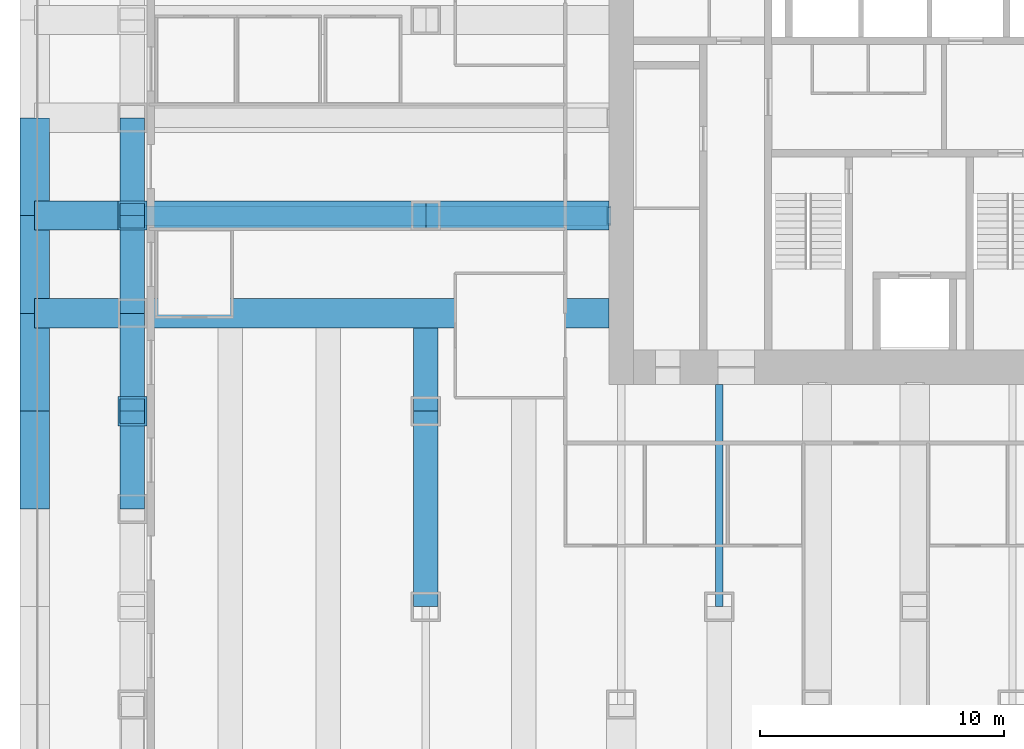
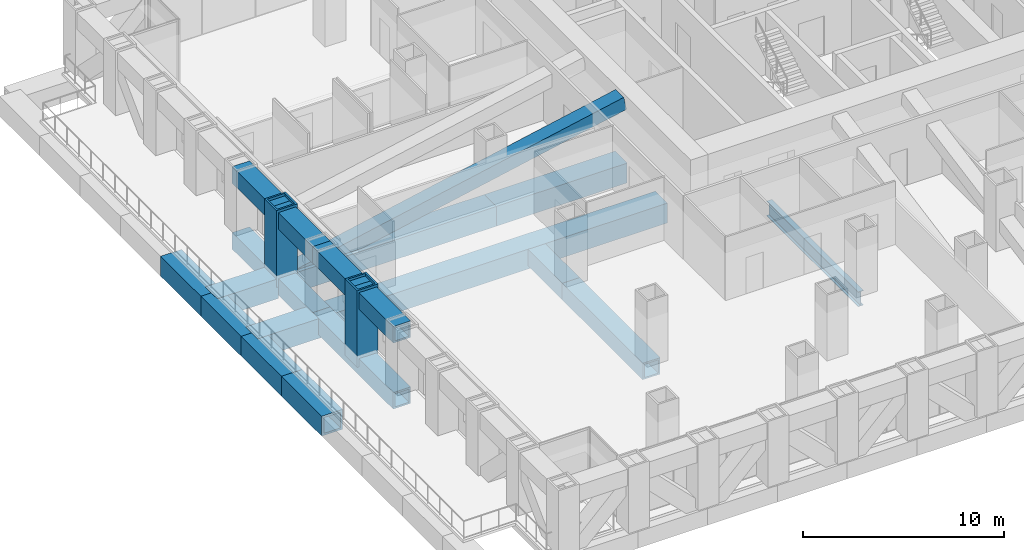
# One storey, part 4 of 18: 18 beams, 3 members.
"""IFC4 building model written with IfcOpenShell, lengths in metres."""

from ifc_helpers import new_model, si_unit, direction, frame, origin, origin_2d, place, context, subcontext, project, spatial, hollow_rectangle, i_section, extrude, material, material_profile, profile_set, type_object, element, save


model = new_model("IFC4")

# Units and contexts
model_context = context("Model", 3, precision=1e-05, world=origin(), true_north=direction((0.0, 1.0)))
body_context = subcontext(model_context, "Body", "Model", "MODEL_VIEW")
ifc_project = project(units=[si_unit("LENGTHUNIT", "METRE"), si_unit("AREAUNIT", "SQUARE_METRE"), si_unit("VOLUMEUNIT", "CUBIC_METRE"), si_unit("PLANEANGLEUNIT", "RADIAN"), si_unit("MASSUNIT", "GRAM", prefix="KILO")], contexts=[model_context])

# Site, building, storey
site_placement = place(None, origin())
site = spatial("IfcSite", under=ifc_project, at=site_placement, CompositionType="ELEMENT")
building_placement = place(site_placement, origin())
building = spatial("IfcBuilding", under=site, at=building_placement, Name="Rimbunsela Tower", CompositionType="ELEMENT")
storey_placement = place(building_placement, frame((0.0, 0.0, 11.0)))
storey = spatial("IfcBuildingStorey", under=building, at=storey_placement, Name="L02", CompositionType="ELEMENT", Elevation=11.0)

# Beams
ifc_material_1 = material(Name="Steel BJ 55 (fy 410 MPa)", Category="steel")
ifc_material_profile_1 = material_profile(ifc_material_1, hollow_rectangle(XDim=1.0, YDim=1.0, WallThickness=0.10009765625, at=origin_2d()), Name="BOX 1000x1000x100")
ifc_profile_set_1 = profile_set([ifc_material_profile_1], Name="Steel BJ 55 (fy 410 MPa)")
beam_type_1 = type_object("IfcBeamType", Name="Beam BOX 1000x1000x100", PredefinedType="BEAM", material=ifc_profile_set_1)
beam_1_placement = place(storey_placement, frame((10.0, 8.0, -0.64990234375), z_axis=(0.0, 1.0, 0.0), x_axis=(-1.0, 0.0, 0.0)))
element("IfcBeam", 1, at=beam_1_placement, inside=storey, type_object=beam_type_1, Name="Beam B3 L02", PredefinedType="BEAM", context=body_context, shape_type="SweptSolid", body=[
    extrude(hollow_rectangle(XDim=1.0, YDim=1.0, WallThickness=0.10009765625, at=origin_2d()), origin(), (0.0, 0.0, 1.0), 8.0),
])
beam_2_placement = place(storey_placement, frame((10.0, 16.0, -0.64990234375), z_axis=(0.0, 1.0, 0.0), x_axis=(-1.0, 0.0, 0.0)))
element("IfcBeam", 2, at=beam_2_placement, inside=storey, type_object=beam_type_1, Name="Beam B3 L02", PredefinedType="BEAM", context=body_context, shape_type="SweptSolid", body=[
    extrude(hollow_rectangle(XDim=1.0, YDim=1.0, WallThickness=0.10009765625, at=origin_2d()), origin(), (0.0, 0.0, 1.0), 3.39990234375),
])
ifc_material_2 = material(Name="Steel BJ 55 (fy 410 MPa)", Category="steel")
ifc_material_profile_2 = material_profile(ifc_material_2, hollow_rectangle(XDim=1.199951171875, YDim=1.199951171875, WallThickness=0.10009765625, at=origin_2d()), Name="BOX 1200x1200x100")
ifc_profile_set_2 = profile_set([ifc_material_profile_2], Name="Steel BJ 55 (fy 410 MPa)")
beam_type_2 = type_object("IfcBeamType", Name="Beam BOX 1200x1200x100", PredefinedType="BEAM", material=ifc_profile_set_2)
beam_3_placement = place(storey_placement, frame((-2.0, 20.0, -0.75), z_axis=(1.0, 0.0, 0.0), x_axis=(0.0, 1.0, 0.0)))
element("IfcBeam", 3, at=beam_3_placement, inside=storey, type_object=beam_type_2, Name="Beam B5 L02", PredefinedType="BEAM", context=body_context, shape_type="SweptSolid", body=[
    extrude(hollow_rectangle(XDim=1.199951171875, YDim=1.199951171875, WallThickness=0.10009765625, at=origin_2d()), origin(), (0.0, 0.0, 1.0), 19.5),
])
beam_4_placement = place(storey_placement, frame((-1.5, 24.0, -0.75), z_axis=(1.0, 0.0, 0.0), x_axis=(0.0, 1.0, 0.0)))
element("IfcBeam", 4, at=beam_4_placement, inside=storey, type_object=beam_type_2, Name="Beam B5 L02", PredefinedType="BEAM", context=body_context, shape_type="SweptSolid", body=[
    extrude(hollow_rectangle(XDim=1.199951171875, YDim=1.199951171875, WallThickness=0.10009765625, at=origin_2d()), origin(), (0.0, 0.0, 1.0), 11.5),
])
beam_5_placement = place(storey_placement, frame((10.0, 24.0, -0.75), z_axis=(1.0, 0.0, 0.0), x_axis=(0.0, 1.0, 0.0)))
element("IfcBeam", 5, at=beam_5_placement, inside=storey, type_object=beam_type_2, Name="Beam B5 L02", PredefinedType="BEAM", context=body_context, shape_type="SweptSolid", body=[
    extrude(hollow_rectangle(XDim=1.199951171875, YDim=1.199951171875, WallThickness=0.10009765625, at=origin_2d()), origin(), (0.0, 0.0, 1.0), 7.5),
])
ifc_material_3 = material(Name="Steel BJ 55 (fy 410 MPa)", Category="steel")
ifc_material_profile_3 = material_profile(ifc_material_3, hollow_rectangle(XDim=1.199951171875, YDim=1.199951171875, WallThickness=0.125, at=origin_2d()), Name="BOX 1200x1200x125")
ifc_profile_set_3 = profile_set([ifc_material_profile_3], Name="Steel BJ 55 (fy 410 MPa)")
beam_type_3 = type_object("IfcBeamType", Name="Beam BOX 1200x1200x125", PredefinedType="BEAM", material=ifc_profile_set_3)
for number, where, z_axis, x_axis, name in (
    (6, (-6.0, 12.0, -0.75), (0.0, 1.0, 0.0), (-1.0, 0.0, 0.0), "Beam B4 L02"),
    (7, (-6.0, 16.0, -0.75), (0.0, 1.0, 0.0), (-1.0, 0.0, 0.0), "Beam B4 L02"),
    (8, (-6.0, 20.0, -0.75), (0.0, 1.0, 0.0), (-1.0, 0.0, 0.0), "Beam B4 L02"),
    (9, (-6.0, 20.0, -0.75), (1.0, 0.0, 0.0), (0.0, 1.0, 0.0), "Beam B4 L02"),
    (10, (-6.0, 24.0, -0.75), (0.0, 1.0, 0.0), (-1.0, 0.0, 0.0), "Beam B4 L02"),
):
    element("IfcBeam", number, at=place(storey_placement, frame(where, z_axis=z_axis, x_axis=x_axis)), inside=storey, type_object=beam_type_3, Name=name, PredefinedType="BEAM", context=body_context, shape_type="SweptSolid", body=[
        extrude(hollow_rectangle(XDim=1.199951171875, YDim=1.199951171875, WallThickness=0.125, at=origin_2d()), origin(), (0.0, 0.0, 1.0), 4.0),
    ])
beam_6_placement = place(storey_placement, frame((-6.0, 24.0, -0.75), z_axis=(1.0, 0.0, 0.0), x_axis=(0.0, 1.0, 0.0)))
element("IfcBeam", 11, at=beam_6_placement, inside=storey, type_object=beam_type_3, Name="Beam B4 L02", PredefinedType="BEAM", context=body_context, shape_type="SweptSolid", body=[
    extrude(hollow_rectangle(XDim=1.199951171875, YDim=1.199951171875, WallThickness=0.125, at=origin_2d()), origin(), (0.0, 0.0, 1.0), 3.5),
])
ifc_material_4 = material(Name="Steel BJ 55 (fy 410 MPa)", Category="steel")
ifc_material_profile_4 = material_profile(ifc_material_4, i_section(OverallWidth=0.300048828125, OverallDepth=0.89990234375, WebThickness=0.01611328125, FlangeThickness=0.028076171875, FilletRadius=0.028076171875, at=origin_2d()), Name="H 900x300x16x28")
ifc_profile_set_4 = profile_set([ifc_material_profile_4], Name="Steel BJ 55 (fy 410 MPa)")
beam_type_4 = type_object("IfcBeamType", Name="Beam H 900x300x16x28", PredefinedType="BEAM", material=ifc_profile_set_4)
beam_7_placement = place(storey_placement, frame((22.0, 8.0, -0.60009765625), z_axis=(0.0, 1.0, 0.0), x_axis=(-1.0, 0.0, 0.0)))
element("IfcBeam", 12, at=beam_7_placement, inside=storey, type_object=beam_type_4, Name="Beam B2 L02", PredefinedType="BEAM", context=body_context, shape_type="SweptSolid", body=[
    extrude(i_section(OverallWidth=0.300048828125, OverallDepth=0.89990234375, WebThickness=0.01611328125, FlangeThickness=0.028076171875, FilletRadius=0.028076171875, at=origin_2d()), origin(), (0.0, 0.0, 1.0), 9.10009765625),
])

# Member
ifc_material_5 = material(Name="Steel BJ 55 (fy 410 MPa)", Category="steel")
ifc_material_profile_5 = material_profile(ifc_material_5, hollow_rectangle(XDim=0.800048828125, YDim=0.800048828125, WallThickness=0.06005859375, at=origin_2d()), Name="BOX 800x800x60")
ifc_profile_set_5 = profile_set([ifc_material_profile_5], Name="Steel BJ 55 (fy 410 MPa)")
member_type_1 = type_object("IfcMemberType", Name="Outrigger brace BOX 800x800x60", PredefinedType="BRACE", material=ifc_profile_set_5)
member_placement = place(storey_placement, frame((-2.0, 24.0, -0.64990234375), z_axis=(0.979602700641, 0.0, 0.200944143721), x_axis=(0.0, 1.0, 0.0)))
element("IfcMember", 13, at=member_placement, inside=storey, type_object=member_type_1, Name="Outrigger brace OB1 W L02", PredefinedType="BRACE", context=body_context, shape_type="SweptSolid", body=[
    extrude(hollow_rectangle(XDim=0.800048828125, YDim=0.800048828125, WallThickness=0.06005859375, at=origin_2d()), origin(), (0.0, 0.0, 1.0), 19.906005859375),
])

# Beams
ifc_material_6 = material(Name="Steel BJ 55 (fy 410 MPa)", Category="steel")
ifc_material_profile_6 = material_profile(ifc_material_6, hollow_rectangle(XDim=1.0, YDim=1.0, WallThickness=0.10009765625, at=origin_2d()), Name="BOX 1000x1000x100")
ifc_profile_set_6 = profile_set([ifc_material_profile_6], Name="Steel BJ 55 (fy 410 MPa)")
beam_type_5 = type_object("IfcBeamType", Name="Truss chord BOX 1000x1000x100", PredefinedType="USERDEFINED", material=ifc_profile_set_6)
for number, where, z_axis, x_axis, name in (
    (14, (-2.0, 12.0, 3.35009765625), (0.0, 1.0, 0.0), (-1.0, 0.0, 0.0), "Truss top chord TC1 W face L02"),
    (15, (-2.0, 16.0, 3.35009765625), (0.0, 1.0, 0.0), (-1.0, 0.0, 0.0), "Truss top chord TC1 W face L02"),
    (16, (-2.0, 20.0, 3.35009765625), (0.0, 1.0, 0.0), (-1.0, 0.0, 0.0), "Truss top chord TC1 W face L02"),
    (17, (-2.0, 24.0, 3.35009765625), (0.0, 1.0, 0.0), (-1.0, 0.0, 0.0), "Truss top chord TC1 W face L02"),
):
    element("IfcBeam", number, at=place(storey_placement, frame(where, z_axis=z_axis, x_axis=x_axis)), inside=storey, type_object=beam_type_5, Name=name, ObjectType="TRUSS CHORD", PredefinedType="USERDEFINED", context=body_context, shape_type="SweptSolid", body=[
        extrude(hollow_rectangle(XDim=1.0, YDim=1.0, WallThickness=0.10009765625, at=origin_2d()), origin(), (0.0, 0.0, 1.0), 4.0),
    ])
for number, where, z_axis, x_axis, name in (
    (18, (-2.0, 12.0, -0.64990234375), (0.0, 1.0, 0.0), (-1.0, 0.0, 0.0), "Truss bottom chord TC1 W face L02"),
    (19, (-2.0, 20.0, -0.64990234375), (0.0, 1.0, 0.0), (-1.0, 0.0, 0.0), "Truss bottom chord TC1 W face L02"),
):
    element("IfcBeam", number, at=place(storey_placement, frame(where, z_axis=z_axis, x_axis=x_axis)), inside=storey, type_object=beam_type_5, Name=name, ObjectType="TRUSS CHORD", PredefinedType="USERDEFINED", context=body_context, shape_type="SweptSolid", body=[
        extrude(hollow_rectangle(XDim=1.0, YDim=1.0, WallThickness=0.10009765625, at=origin_2d()), origin(), (0.0, 0.0, 1.0), 8.0),
    ])

# Members
ifc_material_7 = material(Name="Steel BJ 55 (fy 410 MPa)", Category="steel")
ifc_material_profile_7 = material_profile(ifc_material_7, hollow_rectangle(XDim=1.199951171875, YDim=1.199951171875, WallThickness=0.10009765625, at=origin_2d()), Name="BOX 1200x1200x100")
ifc_profile_set_7 = profile_set([ifc_material_profile_7], Name="Steel BJ 55 (fy 410 MPa)")
member_type_2 = type_object("IfcMemberType", Name="Truss post BOX 1200x1200x100", PredefinedType="POST", material=ifc_profile_set_7)
for number, where, z_axis, x_axis, name in (
    (20, (-2.0, 16.0, -0.64990234375), (0.0, 0.0, 1.0), (1.0, 0.0, 0.0), "Truss post TP1 2/F L02"),
    (21, (-2.0, 24.0, -0.64990234375), (0.0, 0.0, 1.0), (1.0, 0.0, 0.0), "Truss post TP1 2/H L02"),
):
    element("IfcMember", number, at=place(storey_placement, frame(where, z_axis=z_axis, x_axis=x_axis)), inside=storey, type_object=member_type_2, Name=name, PredefinedType="POST", context=body_context, shape_type="SweptSolid", body=[
        extrude(hollow_rectangle(XDim=1.199951171875, YDim=1.199951171875, WallThickness=0.10009765625, at=origin_2d()), origin(), (0.0, 0.0, 1.0), 4.64990234375),
    ])

save(model, "model.ifc")
